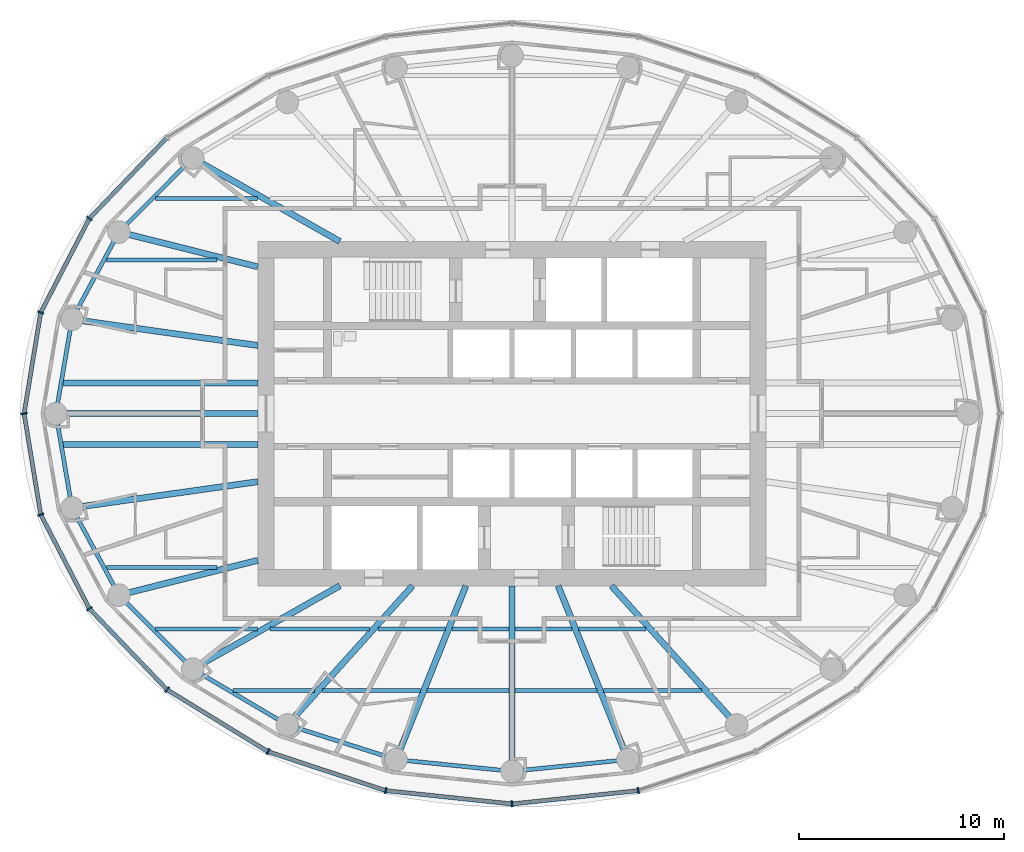
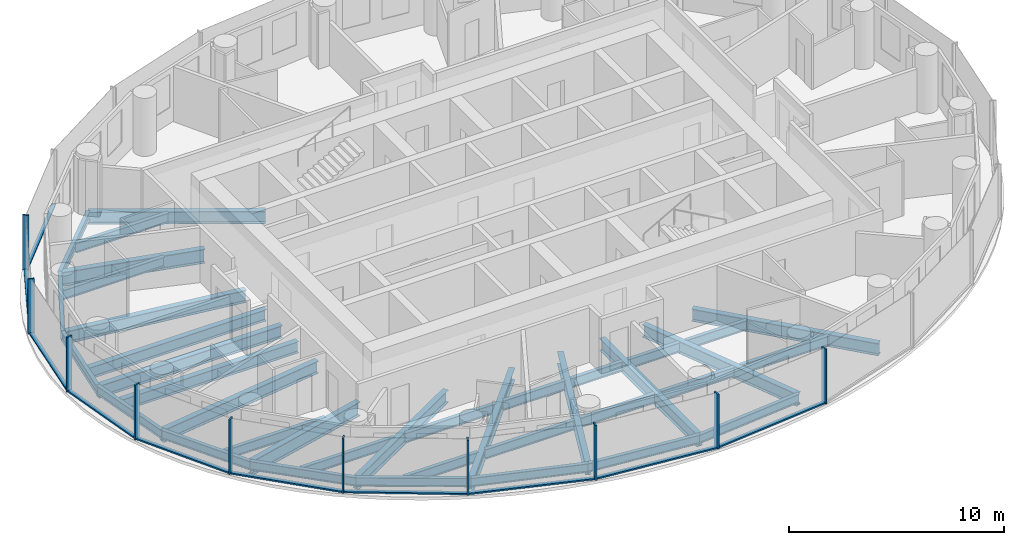
# One storey, part 2 of 16: 38 beams, 20 members, 3 elements without a shape of their own.
"""IFC4 building model written with IfcOpenShell, lengths in metres."""

from ifc_helpers import new_model, si_unit, direction, frame, origin, origin_2d, place, context, subcontext, project, spatial, rectangle, i_section, extrude, material, material_profile, profile_set, type_object, element, aggregate, save


model = new_model("IFC4")

# Units and contexts
model_context = context("Model", 3, precision=1e-05, world=origin(), true_north=direction((0.0, 1.0)))
body_context = subcontext(model_context, "Body", "Model", "MODEL_VIEW")
ifc_project = project(units=[si_unit("LENGTHUNIT", "METRE"), si_unit("AREAUNIT", "SQUARE_METRE"), si_unit("VOLUMEUNIT", "CUBIC_METRE"), si_unit("PLANEANGLEUNIT", "RADIAN"), si_unit("MASSUNIT", "GRAM", prefix="KILO")], contexts=[model_context])

# Site, building, storey
site_placement = place(None, origin())
site = spatial("IfcSite", under=ifc_project, at=site_placement, CompositionType="ELEMENT")
building_placement = place(site_placement, origin())
building = spatial("IfcBuilding", under=site, at=building_placement, Name="Hankou Lantern Tower", CompositionType="ELEMENT")
storey_placement = place(building_placement, frame((0.0, 0.0, 153.300048828125)))
storey = spatial("IfcBuildingStorey", under=building, at=storey_placement, Name="L40", CompositionType="ELEMENT", Elevation=153.300048828125)

# Beams
ifc_material_1 = material(Name="Steel Q355B", Category="steel")
ifc_material_profile_1 = material_profile(ifc_material_1, i_section(OverallWidth=0.199951171875, OverallDepth=0.5, WebThickness=0.010009765625, FlangeThickness=0.01611328125, FilletRadius=0.012939453125, at=origin_2d()), Name="HN500x200x10x16")
ifc_profile_set_1 = profile_set([ifc_material_profile_1], Name="Steel Q355B")
beam_type_1 = type_object("IfcBeamType", Name="EB5 RING BEAM HN500x200x10x16", PredefinedType="SPANDREL", material=ifc_profile_set_1)
beam_1_placement = place(storey_placement, frame((-15.576171875, 12.4609375, -0.429931640625), z_axis=(-0.706147278092, -0.708064984054, 0.0), x_axis=(0.708064984054, -0.706147278092, 0.0)))
element("IfcBeam", 1, at=beam_1_placement, inside=storey, type_object=beam_type_1, Name="Ring beam R10-R11 L40", PredefinedType="SPANDREL", context=body_context, shape_type="SweptSolid", body=[
    extrude(i_section(OverallWidth=0.199951171875, OverallDepth=0.5, WebThickness=0.010009765625, FlangeThickness=0.01611328125, FilletRadius=0.012939453125, at=origin_2d()), origin(), (0.0, 0.0, 1.0), 5.09228515625),
])
beam_2_placement = place(storey_placement, frame((-19.172119140625, 8.855224609375, -0.429931640625), z_axis=(-0.474051612334, -0.880497057828, 0.0), x_axis=(0.880497057828, -0.474051612334, 0.0)))
element("IfcBeam", 2, at=beam_2_placement, inside=storey, type_object=beam_type_1, Name="Ring beam R11-R12 L40", PredefinedType="SPANDREL", context=body_context, shape_type="SweptSolid", body=[
    extrude(i_section(OverallWidth=0.199951171875, OverallDepth=0.5, WebThickness=0.010009765625, FlangeThickness=0.01611328125, FilletRadius=0.012939453125, at=origin_2d()), origin(), (0.0, 0.0, 1.0), 4.831787109375),
])
for number, where, z_axis, x_axis, name in (
    (3, (-21.462646484375, 4.600830078125, -0.429931640625), (-0.168680718946, -0.985670743735, 0.0), (0.985670743735, -0.168680718946, 0.0), "Ring beam R12-R13 L40"),
    (4, (-22.25, 0.0, -0.429931640625), (0.168680718946, -0.985670743735, 0.0), (0.985670743735, 0.168680718946, 0.0), "Ring beam R13-R14 L40"),
):
    element("IfcBeam", number, at=place(storey_placement, frame(where, z_axis=z_axis, x_axis=x_axis)), inside=storey, type_object=beam_type_1, Name=name, PredefinedType="SPANDREL", context=body_context, shape_type="SweptSolid", body=[
        extrude(i_section(OverallWidth=0.199951171875, OverallDepth=0.5, WebThickness=0.010009765625, FlangeThickness=0.01611328125, FilletRadius=0.012939453125, at=origin_2d()), origin(), (0.0, 0.0, 1.0), 4.667724609375),
    ])
beam_3_placement = place(storey_placement, frame((-21.462646484375, -4.600830078125, -0.429931640625), z_axis=(0.474051612334, -0.880497057828, 0.0), x_axis=(0.880497057828, 0.474051612334, 0.0)))
element("IfcBeam", 5, at=beam_3_placement, inside=storey, type_object=beam_type_1, Name="Ring beam R14-R15 L40", PredefinedType="SPANDREL", context=body_context, shape_type="SweptSolid", body=[
    extrude(i_section(OverallWidth=0.199951171875, OverallDepth=0.5, WebThickness=0.010009765625, FlangeThickness=0.01611328125, FilletRadius=0.012939453125, at=origin_2d()), origin(), (0.0, 0.0, 1.0), 4.831787109375),
])
beam_4_placement = place(storey_placement, frame((-19.172119140625, -8.855224609375, -0.429931640625), z_axis=(0.706147278092, -0.708064984054, 0.0), x_axis=(0.708064984054, 0.706147278092, 0.0)))
element("IfcBeam", 6, at=beam_4_placement, inside=storey, type_object=beam_type_1, Name="Ring beam R15-R16 L40", PredefinedType="SPANDREL", context=body_context, shape_type="SweptSolid", body=[
    extrude(i_section(OverallWidth=0.199951171875, OverallDepth=0.5, WebThickness=0.010009765625, FlangeThickness=0.01611328125, FilletRadius=0.012939453125, at=origin_2d()), origin(), (0.0, 0.0, 1.0), 5.09228515625),
])
beam_5_placement = place(storey_placement, frame((-15.576171875, -12.4609375, -0.429931640625), z_axis=(0.861135888339, -0.508374843806, 0.0), x_axis=(0.508374843806, 0.861135888339, 0.0)))
element("IfcBeam", 7, at=beam_5_placement, inside=storey, type_object=beam_type_1, Name="Ring beam R16-R17 L40", PredefinedType="SPANDREL", context=body_context, shape_type="SweptSolid", body=[
    extrude(i_section(OverallWidth=0.199951171875, OverallDepth=0.5, WebThickness=0.010009765625, FlangeThickness=0.01611328125, FilletRadius=0.012939453125, at=origin_2d()), origin(), (0.0, 0.0, 1.0), 5.36083984375),
])
beam_6_placement = place(storey_placement, frame((-10.959716796875, -15.186279296875, -0.429931640625), z_axis=(0.952790404271, -0.30362879562, 0.0), x_axis=(0.30362879562, 0.952790404271, 0.0)))
element("IfcBeam", 8, at=beam_6_placement, inside=storey, type_object=beam_type_1, Name="Ring beam R17-R18 L40", PredefinedType="SPANDREL", context=body_context, shape_type="SweptSolid", body=[
    extrude(i_section(OverallWidth=0.199951171875, OverallDepth=0.5, WebThickness=0.010009765625, FlangeThickness=0.01611328125, FilletRadius=0.012939453125, at=origin_2d()), origin(), (0.0, 0.0, 1.0), 5.56982421875),
])
for number, where, z_axis, x_axis, name in (
    (9, (-5.65283203125, -16.87744140625, -0.429931640625), (0.9949104636, -0.100762936734, 0.0), (0.100762936734, 0.9949104636, 0.0), "Ring beam R18-R19 L40"),
    (10, (0.0, -17.449951171875, -0.429931640625), (0.9949104636, 0.100762936734, 0.0), (-0.100762936734, 0.9949104636, 0.0), "Ring beam R19-R20 L40"),
):
    element("IfcBeam", number, at=place(storey_placement, frame(where, z_axis=z_axis, x_axis=x_axis)), inside=storey, type_object=beam_type_1, Name=name, PredefinedType="SPANDREL", context=body_context, shape_type="SweptSolid", body=[
        extrude(i_section(OverallWidth=0.199951171875, OverallDepth=0.5, WebThickness=0.010009765625, FlangeThickness=0.01611328125, FilletRadius=0.012939453125, at=origin_2d()), origin(), (0.0, 0.0, 1.0), 5.681640625),
    ])

# Curtain wall, members
ifc_material_2 = material(Name="Glass, dark grey tinted laminated", Category="glass")
curtain_wall_type = type_object("IfcCurtainWallType", Name="CWC OUTER SKIN HIGH-RISE", PredefinedType="USERDEFINED", material=ifc_material_2)
curtain_wall_1_placement = place(storey_placement, origin())
curtain_wall_1 = element("IfcCurtainWall", 11, at=curtain_wall_1_placement, inside=storey, type_object=curtain_wall_type, Name="CWC L40 OS2", ObjectType="OUTER SKIN HIGH-RISE", PredefinedType="USERDEFINED")
ifc_material_3 = material(Name="Aluminium, black anodised", Category="aluminium")
ifc_material_profile_2 = material_profile(ifc_material_3, rectangle(XDim=0.080078125, YDim=0.300048828125, at=origin_2d()), Name="MU1 80X300")
ifc_profile_set_2 = profile_set([ifc_material_profile_2], Name="Aluminium, black anodised")
member_type_1 = type_object("IfcMemberType", Name="MU1 OUTER SKIN MULLION 80X300", PredefinedType="MULLION", material=ifc_profile_set_2)
member_1_placement = place(storey_placement, frame((-20.611328125, 9.52001953125, 0.0), z_axis=(0.0, 0.0, 1.0), x_axis=(-0.585205735974, -0.810884854084, 0.0)))
member_1 = element("IfcMember", 12, at=member_1_placement, type_object=member_type_1, Name="CWC mullion 5", PredefinedType="MULLION", context=body_context, shape_type="SweptSolid", body=[
    extrude(rectangle(XDim=0.080078125, YDim=0.300048828125, at=origin_2d()), origin(), (0.0, 0.0, 1.0), 3.119873046875),
])
member_2_placement = place(storey_placement, frame((-22.989013671875, 4.927978515625, 0.0), z_axis=(0.0, 0.0, 1.0), x_axis=(-0.317595577365, -0.94822626479, 0.0)))
member_2 = element("IfcMember", 13, at=member_2_placement, type_object=member_type_1, Name="CWC mullion 6", PredefinedType="MULLION", context=body_context, shape_type="SweptSolid", body=[
    extrude(rectangle(XDim=0.080078125, YDim=0.300048828125, at=origin_2d()), origin(), (0.0, 0.0, 1.0), 3.119873046875),
])

curtain_wall_2_placement = place(storey_placement, origin())
curtain_wall_2 = element("IfcCurtainWall", 14, at=curtain_wall_2_placement, inside=storey, type_object=curtain_wall_type, Name="CWC L40 OS3", ObjectType="OUTER SKIN HIGH-RISE", PredefinedType="USERDEFINED")
member_3_placement = place(storey_placement, frame((-23.800048828125, 0.0, 0.0), z_axis=(0.0, 0.0, 1.0), x_axis=(0.162381515188, -0.986728049427, 0.0)))
member_3 = element("IfcMember", 15, at=member_3_placement, type_object=member_type_1, Name="CWC mullion 1", PredefinedType="MULLION", context=body_context, shape_type="SweptSolid", body=[
    extrude(rectangle(XDim=0.080078125, YDim=0.300048828125, at=origin_2d()), origin(), (0.0, 0.0, 1.0), 3.119873046875),
])
member_4_placement = place(storey_placement, frame((-22.989013671875, -4.927978515625, 0.0), z_axis=(0.0, 0.0, 1.0), x_axis=(0.317595577365, -0.94822626479, 0.0)))
member_4 = element("IfcMember", 16, at=member_4_placement, type_object=member_type_1, Name="CWC mullion 2", PredefinedType="MULLION", context=body_context, shape_type="SweptSolid", body=[
    extrude(rectangle(XDim=0.080078125, YDim=0.300048828125, at=origin_2d()), origin(), (0.0, 0.0, 1.0), 3.119873046875),
])
member_5_placement = place(storey_placement, frame((-20.611328125, -9.52001953125, 0.0), z_axis=(0.0, 0.0, 1.0), x_axis=(0.585205735974, -0.810884854084, 0.0)))
member_5 = element("IfcMember", 17, at=member_5_placement, type_object=member_type_1, Name="CWC mullion 3", PredefinedType="MULLION", context=body_context, shape_type="SweptSolid", body=[
    extrude(rectangle(XDim=0.080078125, YDim=0.300048828125, at=origin_2d()), origin(), (0.0, 0.0, 1.0), 3.119873046875),
])
member_6_placement = place(storey_placement, frame((-16.8291015625, -13.46337890625, 0.0), z_axis=(0.0, 0.0, 1.0), x_axis=(0.780868809444, -0.624695047553, 0.0)))
member_6 = element("IfcMember", 18, at=member_6_placement, type_object=member_type_1, Name="CWC mullion 4", PredefinedType="MULLION", context=body_context, shape_type="SweptSolid", body=[
    extrude(rectangle(XDim=0.080078125, YDim=0.300048828125, at=origin_2d()), origin(), (0.0, 0.0, 1.0), 3.119873046875),
])
member_7_placement = place(storey_placement, frame((-11.89990234375, -16.489013671875, 0.0), z_axis=(0.0, 0.0, 1.0), x_axis=(0.907841299004, -0.419313934686, 0.0)))
member_7 = element("IfcMember", 19, at=member_7_placement, type_object=member_type_1, Name="CWC mullion 5", PredefinedType="MULLION", context=body_context, shape_type="SweptSolid", body=[
    extrude(rectangle(XDim=0.080078125, YDim=0.300048828125, at=origin_2d()), origin(), (0.0, 0.0, 1.0), 3.119873046875),
])
member_8_placement = place(storey_placement, frame((-6.159912109375, -18.39111328125, 0.0), z_axis=(0.0, 0.0, 1.0), x_axis=(0.977787659625, -0.209597931016, 0.0)))
member_8 = element("IfcMember", 20, at=member_8_placement, type_object=member_type_1, Name="CWC mullion 6", PredefinedType="MULLION", context=body_context, shape_type="SweptSolid", body=[
    extrude(rectangle(XDim=0.080078125, YDim=0.300048828125, at=origin_2d()), origin(), (0.0, 0.0, 1.0), 3.119873046875),
])

curtain_wall_3_placement = place(storey_placement, origin())
curtain_wall_3 = element("IfcCurtainWall", 21, at=curtain_wall_3_placement, inside=storey, type_object=curtain_wall_type, Name="CWC L40 OS4", ObjectType="OUTER SKIN HIGH-RISE", PredefinedType="USERDEFINED")
member_9_placement = place(storey_placement, frame((0.0, -19.0400390625, 0.0), z_axis=(0.0, 0.0, 1.0), x_axis=(0.994499359107, 0.104742659579, 0.0)))
member_9 = element("IfcMember", 22, at=member_9_placement, type_object=member_type_1, Name="CWC mullion 1", PredefinedType="MULLION", context=body_context, shape_type="SweptSolid", body=[
    extrude(rectangle(XDim=0.080078125, YDim=0.300048828125, at=origin_2d()), origin(), (0.0, 0.0, 1.0), 3.119873046875),
])
member_10_placement = place(storey_placement, frame((6.159912109375, -18.39111328125, 0.0), z_axis=(0.0, 0.0, 1.0), x_axis=(0.977787659625, 0.209597931016, 0.0)))
member_10 = element("IfcMember", 23, at=member_10_placement, type_object=member_type_1, Name="CWC mullion 2", PredefinedType="MULLION", context=body_context, shape_type="SweptSolid", body=[
    extrude(rectangle(XDim=0.080078125, YDim=0.300048828125, at=origin_2d()), origin(), (0.0, 0.0, 1.0), 3.119873046875),
])

# Beams
ifc_material_4 = material(Name="Steel Q355B", Category="steel")
ifc_material_profile_3 = material_profile(ifc_material_4, i_section(OverallWidth=0.300048828125, OverallDepth=0.800048828125, WebThickness=0.013916015625, FlangeThickness=0.02587890625, FilletRadius=0.01806640625, at=origin_2d()), Name="HN800x300x14x26")
ifc_profile_set_3 = profile_set([ifc_material_profile_3], Name="Steel Q355B")
beam_type_2 = type_object("IfcBeamType", Name="RB11 RADIAL BEAM HN800x300x14x26", PredefinedType="BEAM", material=ifc_profile_set_3)
for number, where, z_axis, x_axis, name in (
    (24, (-12.39990234375, 7.1591796875, -0.580078125), (-0.970041619568, 0.242938791274, 0.0), (-0.242938791274, -0.970041619568, 0.0), "Radial beam R11 L40"),
    (25, (-12.39990234375, -7.1591796875, -0.580078125), (-0.970041619568, -0.242938791274, 0.0), (0.242938791274, -0.970041619568, 0.0), "Radial beam R15 L40"),
):
    element("IfcBeam", number, at=place(storey_placement, frame(where, z_axis=z_axis, x_axis=x_axis)), inside=storey, type_object=beam_type_2, Name=name, PredefinedType="BEAM", context=body_context, shape_type="SweptSolid", body=[
        extrude(i_section(OverallWidth=0.300048828125, OverallDepth=0.800048828125, WebThickness=0.013916015625, FlangeThickness=0.02587890625, FilletRadius=0.01806640625, at=origin_2d()), origin(), (0.0, 0.0, 1.0), 6.9814453125),
    ])
ifc_material_5 = material(Name="Steel Q355B", Category="steel")
ifc_material_profile_4 = material_profile(ifc_material_5, i_section(OverallWidth=0.300048828125, OverallDepth=0.699951171875, WebThickness=0.012939453125, FlangeThickness=0.02392578125, FilletRadius=0.01806640625, at=origin_2d()), Name="HN700x300x13x24")
ifc_profile_set_4 = profile_set([ifc_material_profile_4], Name="Steel Q355B")
beam_type_3 = type_object("IfcBeamType", Name="RB9 RADIAL BEAM HN700x300x13x24", PredefinedType="BEAM", material=ifc_profile_set_4)
beam_7_placement = place(storey_placement, frame((-8.39990234375, 8.39990234375, -0.530029296875), z_axis=(-0.870309058024, 0.492505983234, 0.0), x_axis=(-0.492505983234, -0.870309058024, 0.0)))
element("IfcBeam", 26, at=beam_7_placement, inside=storey, type_object=beam_type_3, Name="Radial beam R10 L40", PredefinedType="BEAM", context=body_context, shape_type="SweptSolid", body=[
    extrude(i_section(OverallWidth=0.300048828125, OverallDepth=0.699951171875, WebThickness=0.012939453125, FlangeThickness=0.02392578125, FilletRadius=0.01806640625, at=origin_2d()), origin(), (0.0, 0.0, 1.0), 8.24560546875),
])
beam_8_placement = place(storey_placement, frame((-12.39990234375, 3.322509765625, -0.530029296875), z_axis=(-0.990198154617, 0.13966966239, 0.0), x_axis=(-0.13966966239, -0.990198154617, 0.0)))
element("IfcBeam", 27, at=beam_8_placement, inside=storey, type_object=beam_type_3, Name="Radial beam R12 L40", PredefinedType="BEAM", context=body_context, shape_type="SweptSolid", body=[
    extrude(i_section(OverallWidth=0.300048828125, OverallDepth=0.699951171875, WebThickness=0.012939453125, FlangeThickness=0.02392578125, FilletRadius=0.01806640625, at=origin_2d()), origin(), (0.0, 0.0, 1.0), 9.15234375),
])
beam_9_placement = place(storey_placement, frame((-12.39990234375, 0.0, -0.530029296875), z_axis=(-1.0, 0.0, 0.0), x_axis=(0.0, -1.0, 0.0)))
element("IfcBeam", 28, at=beam_9_placement, inside=storey, type_object=beam_type_3, Name="Radial beam R13 L40", PredefinedType="BEAM", context=body_context, shape_type="SweptSolid", body=[
    extrude(i_section(OverallWidth=0.300048828125, OverallDepth=0.699951171875, WebThickness=0.012939453125, FlangeThickness=0.02392578125, FilletRadius=0.01806640625, at=origin_2d()), origin(), (0.0, 0.0, 1.0), 9.85009765625),
])
beam_10_placement = place(storey_placement, frame((-12.39990234375, -3.322509765625, -0.530029296875), z_axis=(-0.990198154617, -0.13966966239, 0.0), x_axis=(0.13966966239, -0.990198154617, 0.0)))
element("IfcBeam", 29, at=beam_10_placement, inside=storey, type_object=beam_type_3, Name="Radial beam R14 L40", PredefinedType="BEAM", context=body_context, shape_type="SweptSolid", body=[
    extrude(i_section(OverallWidth=0.300048828125, OverallDepth=0.699951171875, WebThickness=0.012939453125, FlangeThickness=0.02392578125, FilletRadius=0.01806640625, at=origin_2d()), origin(), (0.0, 0.0, 1.0), 9.15234375),
])
beam_11_placement = place(storey_placement, frame((-8.39990234375, -8.39990234375, -0.530029296875), z_axis=(-0.870309058024, -0.492505983234, 0.0), x_axis=(0.492505983234, -0.870309058024, 0.0)))
element("IfcBeam", 30, at=beam_11_placement, inside=storey, type_object=beam_type_3, Name="Radial beam R16 L40", PredefinedType="BEAM", context=body_context, shape_type="SweptSolid", body=[
    extrude(i_section(OverallWidth=0.300048828125, OverallDepth=0.699951171875, WebThickness=0.012939453125, FlangeThickness=0.02392578125, FilletRadius=0.01806640625, at=origin_2d()), origin(), (0.0, 0.0, 1.0), 8.24560546875),
])
beam_12_placement = place(storey_placement, frame((-4.849853515625, -8.39990234375, -0.530029296875), z_axis=(-0.669093231314, -0.743178476418, 0.0), x_axis=(0.743178476418, -0.669093231314, 0.0)))
element("IfcBeam", 31, at=beam_12_placement, inside=storey, type_object=beam_type_3, Name="Radial beam R17 L40", PredefinedType="BEAM", context=body_context, shape_type="SweptSolid", body=[
    extrude(i_section(OverallWidth=0.300048828125, OverallDepth=0.699951171875, WebThickness=0.012939453125, FlangeThickness=0.02392578125, FilletRadius=0.01806640625, at=origin_2d()), origin(), (0.0, 0.0, 1.0), 9.131591796875),
])
beam_13_placement = place(storey_placement, frame((-2.250732421875, -8.39990234375, -0.530029296875), z_axis=(-0.372436468133, -0.928057690666, 0.0), x_axis=(0.928057690666, -0.372436468133, 0.0)))
element("IfcBeam", 32, at=beam_13_placement, inside=storey, type_object=beam_type_3, Name="Radial beam R18 L40", PredefinedType="BEAM", context=body_context, shape_type="SweptSolid", body=[
    extrude(i_section(OverallWidth=0.300048828125, OverallDepth=0.699951171875, WebThickness=0.012939453125, FlangeThickness=0.02392578125, FilletRadius=0.01806640625, at=origin_2d()), origin(), (0.0, 0.0, 1.0), 9.134765625),
])
beam_14_placement = place(storey_placement, frame((0.0, -8.39990234375, -0.530029296875), z_axis=(0.0, -1.0, 0.0), x_axis=(1.0, 0.0, 0.0)))
element("IfcBeam", 33, at=beam_14_placement, inside=storey, type_object=beam_type_3, Name="Radial beam R19 L40", PredefinedType="BEAM", context=body_context, shape_type="SweptSolid", body=[
    extrude(i_section(OverallWidth=0.300048828125, OverallDepth=0.699951171875, WebThickness=0.012939453125, FlangeThickness=0.02392578125, FilletRadius=0.01806640625, at=origin_2d()), origin(), (0.0, 0.0, 1.0), 9.050048828125),
])
beam_15_placement = place(storey_placement, frame((2.250732421875, -8.39990234375, -0.530029296875), z_axis=(0.372436468133, -0.928057690666, 0.0), x_axis=(0.928057690666, 0.372436468133, 0.0)))
element("IfcBeam", 34, at=beam_15_placement, inside=storey, type_object=beam_type_3, Name="Radial beam R20 L40", PredefinedType="BEAM", context=body_context, shape_type="SweptSolid", body=[
    extrude(i_section(OverallWidth=0.300048828125, OverallDepth=0.699951171875, WebThickness=0.012939453125, FlangeThickness=0.02392578125, FilletRadius=0.01806640625, at=origin_2d()), origin(), (0.0, 0.0, 1.0), 9.134765625),
])
beam_16_placement = place(storey_placement, frame((4.849853515625, -8.39990234375, -0.530029296875), z_axis=(0.669093231314, -0.743178476418, 0.0), x_axis=(0.743178476418, 0.669093231314, 0.0)))
element("IfcBeam", 35, at=beam_16_placement, inside=storey, type_object=beam_type_3, Name="Radial beam R21 L40", PredefinedType="BEAM", context=body_context, shape_type="SweptSolid", body=[
    extrude(i_section(OverallWidth=0.300048828125, OverallDepth=0.699951171875, WebThickness=0.012939453125, FlangeThickness=0.02392578125, FilletRadius=0.01806640625, at=origin_2d()), origin(), (0.0, 0.0, 1.0), 9.131591796875),
])
ifc_material_6 = material(Name="Steel Q355B", Category="steel")
ifc_material_profile_5 = material_profile(ifc_material_6, i_section(OverallWidth=0.199951171875, OverallDepth=0.550048828125, WebThickness=0.010009765625, FlangeThickness=0.01611328125, FilletRadius=0.012939453125, at=origin_2d()), Name="HN550x200x10x16")
ifc_profile_set_5 = profile_set([ifc_material_profile_5], Name="Steel Q355B")
beam_type_4 = type_object("IfcBeamType", Name="SB6 SECONDARY BEAM HN550x200x10x16", PredefinedType="JOIST", material=ifc_profile_set_5)
beam_17_placement = place(storey_placement, frame((-13.619384765625, -13.5, -0.455078125), z_axis=(1.0, 0.0, 0.0), x_axis=(0.0, 1.0, 0.0)))
element("IfcBeam", 36, at=beam_17_placement, inside=storey, type_object=beam_type_4, Name="Floor joist J001 L40", PredefinedType="JOIST", context=body_context, shape_type="SweptSolid", body=[
    extrude(i_section(OverallWidth=0.199951171875, OverallDepth=0.550048828125, WebThickness=0.010009765625, FlangeThickness=0.01611328125, FilletRadius=0.012939453125, at=origin_2d()), origin(), (0.0, 0.0, 1.0), 3.97607421875),
])
beam_18_placement = place(storey_placement, frame((-9.23974609375, -13.5, -0.455078125), z_axis=(1.0, 0.0, 0.0), x_axis=(0.0, 1.0, 0.0)))
element("IfcBeam", 37, at=beam_18_placement, inside=storey, type_object=beam_type_4, Name="Floor joist J002 L40", PredefinedType="JOIST", context=body_context, shape_type="SweptSolid", body=[
    extrude(i_section(OverallWidth=0.199951171875, OverallDepth=0.550048828125, WebThickness=0.010009765625, FlangeThickness=0.01611328125, FilletRadius=0.012939453125, at=origin_2d()), origin(), (0.0, 0.0, 1.0), 4.780517578125),
])
for number, where, z_axis, x_axis, name in (
    (38, (-4.135986328125, -13.5, -0.455078125), (1.0, 0.0, 0.0), (0.0, 1.0, 0.0), "Floor joist J003 L40"),
    (39, (0.14990234375, -13.5, -0.455078125), (1.0, 0.0, 0.0), (0.0, 1.0, 0.0), "Floor joist J004 L40"),
):
    element("IfcBeam", number, at=place(storey_placement, frame(where, z_axis=z_axis, x_axis=x_axis)), inside=storey, type_object=beam_type_4, Name=name, PredefinedType="JOIST", context=body_context, shape_type="SweptSolid", body=[
        extrude(i_section(OverallWidth=0.199951171875, OverallDepth=0.550048828125, WebThickness=0.010009765625, FlangeThickness=0.01611328125, FilletRadius=0.012939453125, at=origin_2d()), origin(), (0.0, 0.0, 1.0), 3.986083984375),
    ])
beam_19_placement = place(storey_placement, frame((4.459228515625, -13.5, -0.455078125), z_axis=(1.0, 0.0, 0.0), x_axis=(0.0, 1.0, 0.0)))
element("IfcBeam", 40, at=beam_19_placement, inside=storey, type_object=beam_type_4, Name="Floor joist J005 L40", PredefinedType="JOIST", context=body_context, shape_type="SweptSolid", body=[
    extrude(i_section(OverallWidth=0.199951171875, OverallDepth=0.550048828125, WebThickness=0.010009765625, FlangeThickness=0.01611328125, FilletRadius=0.012939453125, at=origin_2d()), origin(), (0.0, 0.0, 1.0), 4.780517578125),
])
beam_20_placement = place(storey_placement, frame((-17.390625, -10.5, -0.455078125), z_axis=(1.0, 0.0, 0.0), x_axis=(0.0, 1.0, 0.0)))
element("IfcBeam", 41, at=beam_20_placement, inside=storey, type_object=beam_type_4, Name="Floor joist J007 L40", PredefinedType="JOIST", context=body_context, shape_type="SweptSolid", body=[
    extrude(i_section(OverallWidth=0.199951171875, OverallDepth=0.550048828125, WebThickness=0.010009765625, FlangeThickness=0.01611328125, FilletRadius=0.012939453125, at=origin_2d()), origin(), (0.0, 0.0, 1.0), 4.97509765625),
])
beam_21_placement = place(storey_placement, frame((-11.806396484375, -10.5, -0.455078125), z_axis=(1.0, 0.0, 0.0), x_axis=(0.0, 1.0, 0.0)))
element("IfcBeam", 42, at=beam_21_placement, inside=storey, type_object=beam_type_4, Name="Floor joist J008 L40", PredefinedType="JOIST", context=body_context, shape_type="SweptSolid", body=[
    extrude(i_section(OverallWidth=0.199951171875, OverallDepth=0.550048828125, WebThickness=0.010009765625, FlangeThickness=0.01611328125, FilletRadius=0.012939453125, at=origin_2d()), origin(), (0.0, 0.0, 1.0), 4.864013671875),
])
beam_22_placement = place(storey_placement, frame((-6.53857421875, -10.5, -0.455078125), z_axis=(1.0, 0.0, 0.0), x_axis=(0.0, 1.0, 0.0)))
element("IfcBeam", 43, at=beam_22_placement, inside=storey, type_object=beam_type_4, Name="Floor joist J009 L40", PredefinedType="JOIST", context=body_context, shape_type="SweptSolid", body=[
    extrude(i_section(OverallWidth=0.199951171875, OverallDepth=0.550048828125, WebThickness=0.010009765625, FlangeThickness=0.01611328125, FilletRadius=0.012939453125, at=origin_2d()), origin(), (0.0, 0.0, 1.0), 3.283447265625),
])
for number, where, z_axis, x_axis, name in (
    (44, (-2.931884765625, -10.5, -0.455078125), (1.0, 0.0, 0.0), (0.0, 1.0, 0.0), "Floor joist J010 L40"),
    (45, (0.14990234375, -10.5, -0.455078125), (1.0, 0.0, 0.0), (0.0, 1.0, 0.0), "Floor joist J011 L40"),
):
    element("IfcBeam", number, at=place(storey_placement, frame(where, z_axis=z_axis, x_axis=x_axis)), inside=storey, type_object=beam_type_4, Name=name, PredefinedType="JOIST", context=body_context, shape_type="SweptSolid", body=[
        extrude(i_section(OverallWidth=0.199951171875, OverallDepth=0.550048828125, WebThickness=0.010009765625, FlangeThickness=0.01611328125, FilletRadius=0.012939453125, at=origin_2d()), origin(), (0.0, 0.0, 1.0), 2.781982421875),
    ])
beam_23_placement = place(storey_placement, frame((3.255126953125, -10.5, -0.455078125), z_axis=(1.0, 0.0, 0.0), x_axis=(0.0, 1.0, 0.0)))
element("IfcBeam", 46, at=beam_23_placement, inside=storey, type_object=beam_type_4, Name="Floor joist J012 L40", PredefinedType="JOIST", context=body_context, shape_type="SweptSolid", body=[
    extrude(i_section(OverallWidth=0.199951171875, OverallDepth=0.550048828125, WebThickness=0.010009765625, FlangeThickness=0.01611328125, FilletRadius=0.012939453125, at=origin_2d()), origin(), (0.0, 0.0, 1.0), 3.283447265625),
])
for number, where, z_axis, x_axis, name in (
    (47, (-19.788330078125, -7.5, -0.455078125), (1.0, 0.0, 0.0), (0.0, 1.0, 0.0), "Floor joist J015 L40"),
    (48, (-19.788330078125, 7.5, -0.455078125), (1.0, 0.0, 0.0), (0.0, 1.0, 0.0), "Floor joist J025 L40"),
):
    element("IfcBeam", number, at=place(storey_placement, frame(where, z_axis=z_axis, x_axis=x_axis)), inside=storey, type_object=beam_type_4, Name=name, PredefinedType="JOIST", context=body_context, shape_type="SweptSolid", body=[
        extrude(i_section(OverallWidth=0.199951171875, OverallDepth=0.550048828125, WebThickness=0.010009765625, FlangeThickness=0.01611328125, FilletRadius=0.012939453125, at=origin_2d()), origin(), (0.0, 0.0, 1.0), 5.409912109375),
    ])
beam_24_placement = place(storey_placement, frame((-17.390625, 10.5, -0.455078125), z_axis=(1.0, 0.0, 0.0), x_axis=(0.0, 1.0, 0.0)))
element("IfcBeam", 49, at=beam_24_placement, inside=storey, type_object=beam_type_4, Name="Floor joist J027 L40", PredefinedType="JOIST", context=body_context, shape_type="SweptSolid", body=[
    extrude(i_section(OverallWidth=0.199951171875, OverallDepth=0.550048828125, WebThickness=0.010009765625, FlangeThickness=0.01611328125, FilletRadius=0.012939453125, at=origin_2d()), origin(), (0.0, 0.0, 1.0), 4.97509765625),
])
ifc_material_7 = material(Name="Steel Q355B", Category="steel")
ifc_material_profile_6 = material_profile(ifc_material_7, i_section(OverallWidth=0.300048828125, OverallDepth=0.64990234375, WebThickness=0.010986328125, FlangeThickness=0.01708984375, FilletRadius=0.01806640625, at=origin_2d()), Name="HN650x300x11x17")
ifc_profile_set_6 = profile_set([ifc_material_profile_6], Name="Steel Q355B")
beam_type_5 = type_object("IfcBeamType", Name="SB8 SECONDARY BEAM HN650x300x11x17", PredefinedType="JOIST", material=ifc_profile_set_6)
for number, where, z_axis, x_axis, name in (
    (50, (-21.891845703125, -1.5, -0.505126953125), (1.0, 0.0, 0.0), (0.0, 1.0, 0.0), "Floor joist J019 L40"),
    (51, (-21.891845703125, 1.5, -0.505126953125), (1.0, 0.0, 0.0), (0.0, 1.0, 0.0), "Floor joist J021 L40"),
):
    element("IfcBeam", number, at=place(storey_placement, frame(where, z_axis=z_axis, x_axis=x_axis)), inside=storey, type_object=beam_type_5, Name=name, PredefinedType="JOIST", context=body_context, shape_type="SweptSolid", body=[
        extrude(i_section(OverallWidth=0.300048828125, OverallDepth=0.64990234375, WebThickness=0.010986328125, FlangeThickness=0.01708984375, FilletRadius=0.01806640625, at=origin_2d()), origin(), (0.0, 0.0, 1.0), 9.491943359375),
    ])

# Member
ifc_material_8 = material(Name="Aluminium, black anodised", Category="aluminium")
ifc_material_profile_7 = material_profile(ifc_material_8, rectangle(XDim=0.199951171875, YDim=0.080078125, at=origin_2d()), Name="TR1 200X80")
ifc_profile_set_7 = profile_set([ifc_material_profile_7], Name="Aluminium, black anodised")
member_type_2 = type_object("IfcMemberType", Name="TR1 OUTER SKIN TRANSOM 200X80", PredefinedType="USERDEFINED", material=ifc_profile_set_7)
member_11_placement = place(storey_placement, frame((-16.85693359375, 13.434326171875, 0.0400390625), z_axis=(-0.692215543831, -0.721690820836, 0.0), x_axis=(0.721690820836, -0.692215543831, 0.0)))
member_11 = element("IfcMember", 52, at=member_11_placement, type_object=member_type_2, Name="CWC transom 4", ObjectType="TRANSOM", PredefinedType="USERDEFINED", context=body_context, shape_type="SweptSolid", body=[
    extrude(rectangle(XDim=0.199951171875, YDim=0.080078125, at=origin_2d()), origin(), (0.0, 0.0, 1.0), 5.3837890625),
])

member_12_placement = place(storey_placement, frame((-20.6298828125, 9.484375, 0.0400390625), z_axis=(-0.459790772977, -0.888027277219, 0.0), x_axis=(0.888027277219, -0.459790772977, 0.0)))
member_12 = element("IfcMember", 53, at=member_12_placement, type_object=member_type_2, Name="CWC transom 5", ObjectType="TRANSOM", PredefinedType="USERDEFINED", context=body_context, shape_type="SweptSolid", body=[
    extrude(rectangle(XDim=0.199951171875, YDim=0.080078125, at=origin_2d()), origin(), (0.0, 0.0, 1.0), 5.091064453125),
])

member_13_placement = place(storey_placement, frame((-22.99560546875, 4.888427734375, 0.0400390625), z_axis=(-0.162360337061, -0.986731534385, 0.0), x_axis=(0.986731534385, -0.162360337061, 0.0)))
member_13 = element("IfcMember", 54, at=member_13_placement, type_object=member_type_2, Name="CWC transom 6", ObjectType="TRANSOM", PredefinedType="USERDEFINED", context=body_context, shape_type="SweptSolid", body=[
    extrude(rectangle(XDim=0.199951171875, YDim=0.080078125, at=origin_2d()), origin(), (0.0, 0.0, 1.0), 4.9140625),
])

aggregate(curtain_wall_1, [member_1, member_2, member_11, member_12, member_13])

member_14_placement = place(storey_placement, frame((-23.79345703125, -0.03955078125, 0.0400390625), z_axis=(0.162360337061, -0.986731534385, 0.0), x_axis=(0.986731534385, 0.162360337061, 0.0)))
member_14 = element("IfcMember", 55, at=member_14_placement, type_object=member_type_2, Name="CWC transom 1", ObjectType="TRANSOM", PredefinedType="USERDEFINED", context=body_context, shape_type="SweptSolid", body=[
    extrude(rectangle(XDim=0.199951171875, YDim=0.080078125, at=origin_2d()), origin(), (0.0, 0.0, 1.0), 4.9140625),
])

member_15_placement = place(storey_placement, frame((-22.970703125, -4.96337890625, 0.0400390625), z_axis=(0.459790772977, -0.888027277219, 0.0), x_axis=(0.888027277219, 0.459790772977, 0.0)))
member_15 = element("IfcMember", 56, at=member_15_placement, type_object=member_type_2, Name="CWC transom 2", ObjectType="TRANSOM", PredefinedType="USERDEFINED", context=body_context, shape_type="SweptSolid", body=[
    extrude(rectangle(XDim=0.199951171875, YDim=0.080078125, at=origin_2d()), origin(), (0.0, 0.0, 1.0), 5.091064453125),
])

member_16_placement = place(storey_placement, frame((-20.583740234375, -9.548828125, 0.0400390625), z_axis=(0.692215543831, -0.721690820836, 0.0), x_axis=(0.721690820836, 0.692215543831, 0.0)))
member_16 = element("IfcMember", 57, at=member_16_placement, type_object=member_type_2, Name="CWC transom 3", ObjectType="TRANSOM", PredefinedType="USERDEFINED", context=body_context, shape_type="SweptSolid", body=[
    extrude(rectangle(XDim=0.199951171875, YDim=0.080078125, at=origin_2d()), origin(), (0.0, 0.0, 1.0), 5.3837890625),
])

member_17_placement = place(storey_placement, frame((-16.795166015625, -13.484130859375, 0.0400390625), z_axis=(0.852229482357, -0.523168146394, 0.0), x_axis=(0.523168146394, 0.852229482357, 0.0)))
member_17 = element("IfcMember", 58, at=member_17_placement, type_object=member_type_2, Name="CWC transom 4", ObjectType="TRANSOM", PredefinedType="USERDEFINED", context=body_context, shape_type="SweptSolid", body=[
    extrude(rectangle(XDim=0.199951171875, YDim=0.080078125, at=origin_2d()), origin(), (0.0, 0.0, 1.0), 5.703857421875),
])

member_18_placement = place(storey_placement, frame((-11.862060546875, -16.501708984375, 0.0400390625), z_axis=(0.949242327551, -0.314545709849, 0.0), x_axis=(0.314545709849, 0.949242327551, 0.0)))
member_18 = element("IfcMember", 59, at=member_18_placement, type_object=member_type_2, Name="CWC transom 5", ObjectType="TRANSOM", PredefinedType="USERDEFINED", context=body_context, shape_type="SweptSolid", body=[
    extrude(rectangle(XDim=0.199951171875, YDim=0.080078125, at=origin_2d()), origin(), (0.0, 0.0, 1.0), 5.96728515625),
])

member_19_placement = place(storey_placement, frame((-6.1201171875, -18.3955078125, 0.0400390625), z_axis=(0.994499543631, -0.104740907567, 0.0), x_axis=(0.104740907567, 0.994499543631, 0.0)))
member_19 = element("IfcMember", 60, at=member_19_placement, type_object=member_type_2, Name="CWC transom 6", ObjectType="TRANSOM", PredefinedType="USERDEFINED", context=body_context, shape_type="SweptSolid", body=[
    extrude(rectangle(XDim=0.199951171875, YDim=0.080078125, at=origin_2d()), origin(), (0.0, 0.0, 1.0), 6.114013671875),
])

aggregate(curtain_wall_2, [member_3, member_4, member_5, member_6, member_7, member_8, member_14, member_15, member_16, member_17, member_18, member_19])

member_20_placement = place(storey_placement, frame((0.039794921875, -19.035888671875, 0.0400390625), z_axis=(0.994499543631, 0.104740907567, 0.0), x_axis=(-0.104740907567, 0.994499543631, 0.0)))
member_20 = element("IfcMember", 61, at=member_20_placement, type_object=member_type_2, Name="CWC transom 1", ObjectType="TRANSOM", PredefinedType="USERDEFINED", context=body_context, shape_type="SweptSolid", body=[
    extrude(rectangle(XDim=0.199951171875, YDim=0.080078125, at=origin_2d()), origin(), (0.0, 0.0, 1.0), 6.114013671875),
])

aggregate(curtain_wall_3, [member_9, member_10, member_20])

save(model, "model.ifc")
